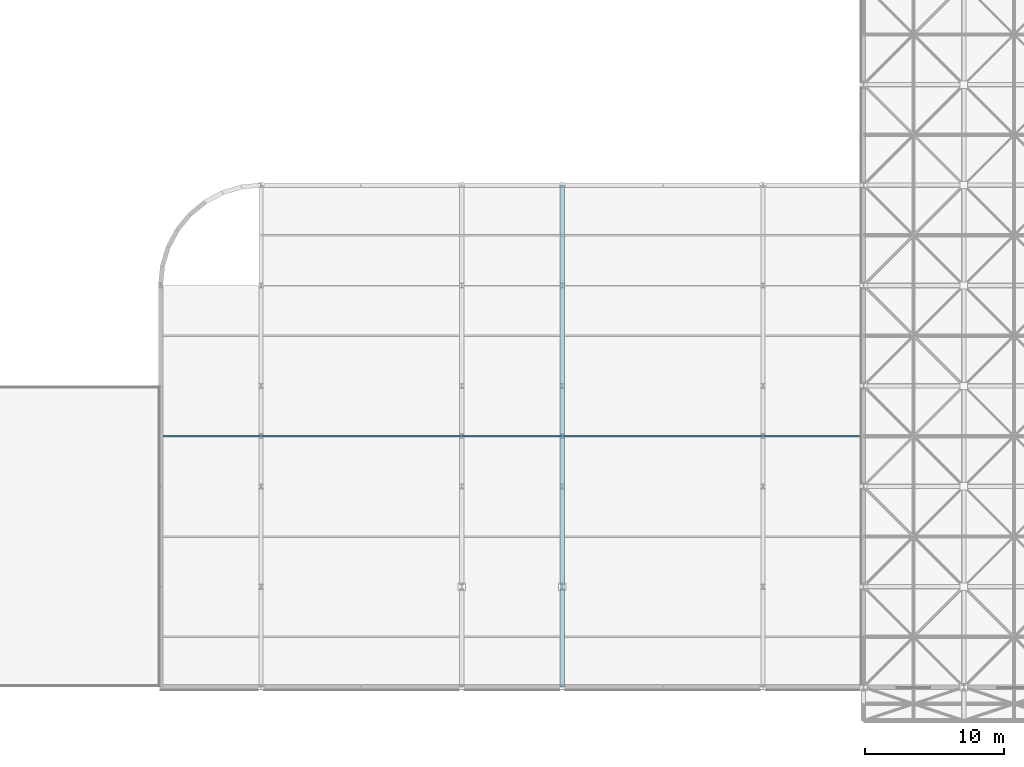
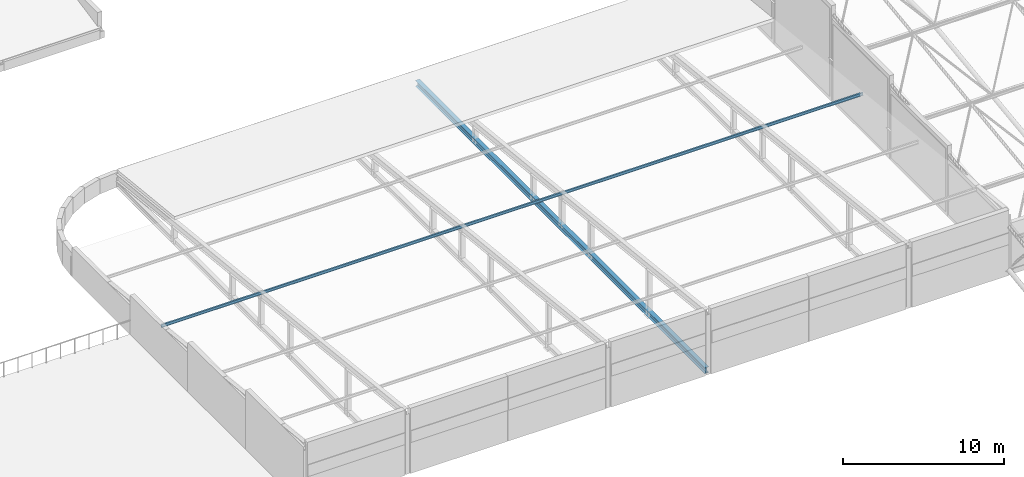
# One storey, part 25 of 103: 2 members.
"""IFC4 building model written with IfcOpenShell, lengths in metres."""

from ifc_helpers import new_model, si_unit, direction, frame, origin, origin_2d, place, context, subcontext, project, spatial, i_section, extrude, material, material_profile, profile_set, type_object, element, save


model = new_model("IFC4")

# Units and contexts
model_context = context("Model", 3, precision=1e-05, world=origin(), true_north=direction((0.0, 1.0)))
body_context = subcontext(model_context, "Body", "Model", "MODEL_VIEW")
ifc_project = project(units=[si_unit("LENGTHUNIT", "METRE"), si_unit("AREAUNIT", "SQUARE_METRE"), si_unit("VOLUMEUNIT", "CUBIC_METRE"), si_unit("PLANEANGLEUNIT", "RADIAN"), si_unit("MASSUNIT", "GRAM", prefix="KILO")], contexts=[model_context])

# Site, building, storey
site_placement = place(None, origin())
site = spatial("IfcSite", under=ifc_project, at=site_placement, CompositionType="ELEMENT")
building_placement = place(site_placement, origin())
building = spatial("IfcBuilding", under=site, at=building_placement, Name="Thalmaran Polytechnic", CompositionType="ELEMENT")
storey_placement = place(building_placement, frame((0.0, 0.0, 14.39990234375)))
storey = spatial("IfcBuildingStorey", under=building, at=storey_placement, Name="L03", CompositionType="ELEMENT", Elevation=14.39990234375)

# Members
ifc_material = material(Name="Steel S355", Category="steel")
ifc_material_profile_1 = material_profile(ifc_material, i_section(OverallWidth=0.300048828125, OverallDepth=0.449951171875, WebThickness=0.013916015625, FlangeThickness=0.02587890625, at=origin_2d()), Name="HEB 450")
ifc_profile_set_1 = profile_set([ifc_material_profile_1], Name="Steel S355")
member_type_1 = type_object("IfcMemberType", Name="MB-CHD1", PredefinedType="CHORD", material=ifc_profile_set_1)
member_1_placement = place(storey_placement, frame((86.39990234375, 0.0, 0.22021484375), z_axis=(0.0, 1.0, 0.0), x_axis=(-1.0, 0.0, 0.0)))
element("IfcMember", 1, at=member_1_placement, inside=storey, type_object=member_type_1, Name="Lecture Truss Bottom Tie G12", PredefinedType="CHORD", context=body_context, shape_type="SweptSolid", body=[
    extrude(i_section(OverallWidth=0.300048828125, OverallDepth=0.449951171875, WebThickness=0.013916015625, FlangeThickness=0.02587890625, at=origin_2d()), origin(), (0.0, 0.0, 1.0), 36.0),
])
ifc_material_profile_2 = material_profile(ifc_material, i_section(OverallWidth=0.110107421875, OverallDepth=0.219970703125, WebThickness=0.005859375, FlangeThickness=0.00927734375, at=origin_2d()), Name="IPE 220")
ifc_profile_set_2 = profile_set([ifc_material_profile_2], Name="Steel S355")
member_type_2 = type_object("IfcMemberType", Name="MB-PUR1", PredefinedType="PURLIN", material=ifc_profile_set_2)
member_2_placement = place(storey_placement, frame((57.60009765625, 18.0, 2.7451171875), z_axis=(1.0, 0.0, 0.0), x_axis=(0.0, 1.0, 0.0)))
element("IfcMember", 2, at=member_2_placement, inside=storey, type_object=member_type_2, Name="Lecture Roof Purlin Y=18.0", PredefinedType="PURLIN", context=body_context, shape_type="SweptSolid", body=[
    extrude(i_section(OverallWidth=0.110107421875, OverallDepth=0.219970703125, WebThickness=0.005859375, FlangeThickness=0.00927734375, at=origin_2d()), origin(), (0.0, 0.0, 1.0), 50.39990234375),
])

save(model, "model.ifc")
